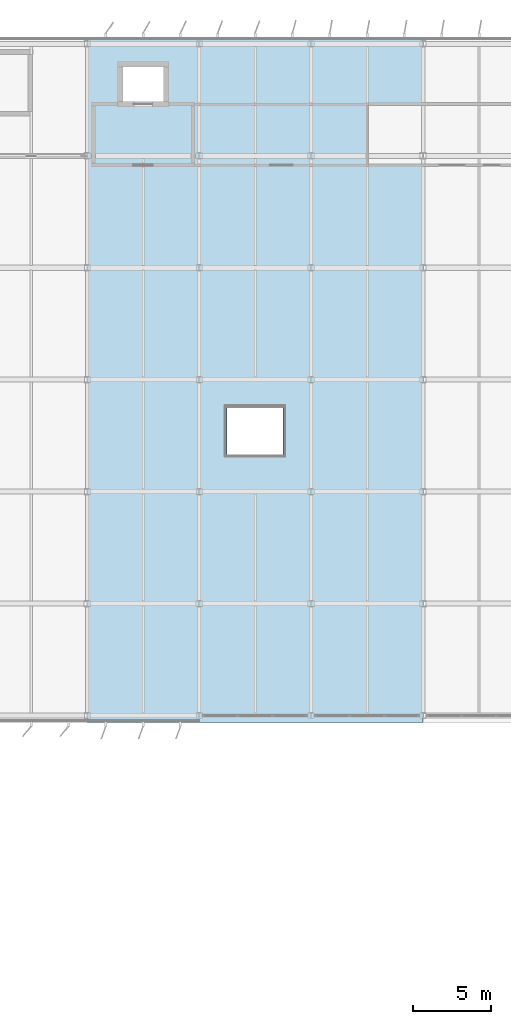
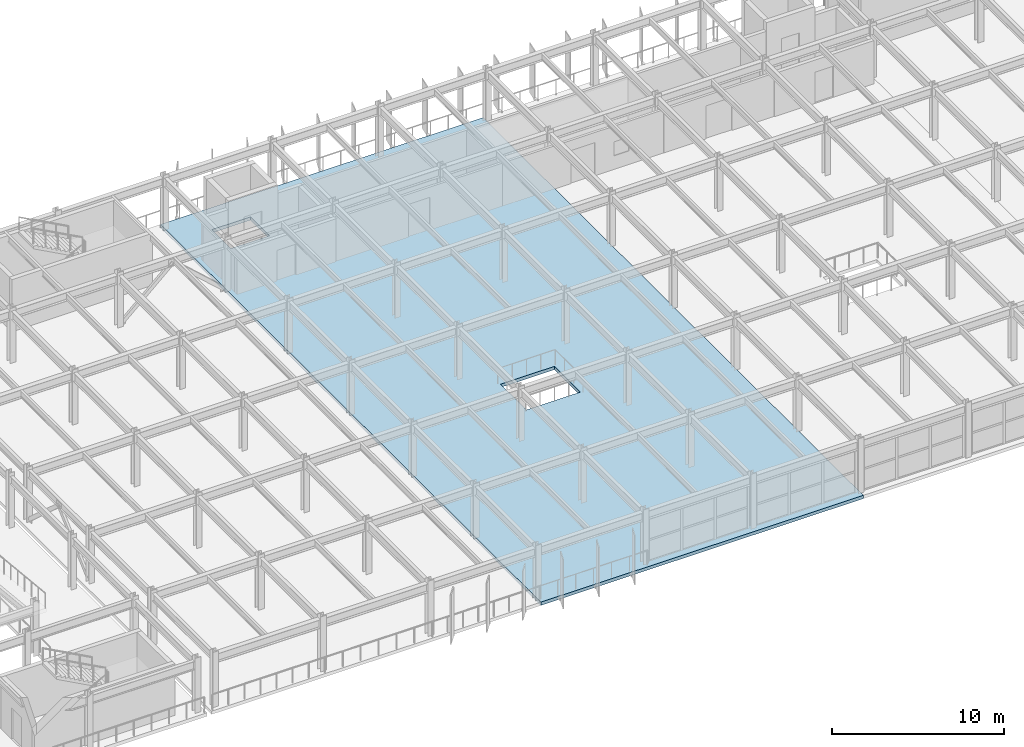
# One storey, part 39 of 80: 1 slab.
"""IFC4 building model written with IfcOpenShell, lengths in metres."""

from ifc_helpers import new_model, si_unit, direction, frame, origin, place, context, subcontext, project, spatial, polyline, outline, extrude, material, layer, layer_set, type_object, element, save


model = new_model("IFC4")

# Units and contexts
model_context = context("Model", 3, precision=1e-05, world=origin(), true_north=direction((0.0, 1.0)))
body_context = subcontext(model_context, "Body", "Model", "MODEL_VIEW")
ifc_project = project(units=[si_unit("LENGTHUNIT", "METRE"), si_unit("AREAUNIT", "SQUARE_METRE"), si_unit("VOLUMEUNIT", "CUBIC_METRE"), si_unit("PLANEANGLEUNIT", "RADIAN"), si_unit("MASSUNIT", "GRAM", prefix="KILO")], contexts=[model_context])

# Site, building, storey
site_placement = place(None, origin())
site = spatial("IfcSite", under=ifc_project, at=site_placement, CompositionType="ELEMENT")
building_placement = place(site_placement, origin())
building = spatial("IfcBuilding", under=site, at=building_placement, Name="Vaelcorin Mobility Hub", CompositionType="ELEMENT")
storey_placement = place(building_placement, frame((0.0, 0.0, 9.300048828125)))
storey = spatial("IfcBuildingStorey", under=building, at=storey_placement, Name="L02", CompositionType="ELEMENT", Elevation=9.300048828125)

# Slab
ifc_material = material(Name="Concrete f'c 35 MPa", Category="concrete")
ifc_layer = layer(ifc_material, 0.22998046875)
ifc_layer_set = layer_set([ifc_layer], Name="Concrete f'c 35 MPa")
slab_type = type_object("IfcSlabType", Name="SLAB-PK3", PredefinedType="FLOOR", material=ifc_layer_set)
slab_placement = place(storey_placement, frame((0.0, 0.0, -0.22998046875)))
element("IfcSlab", 1, at=slab_placement, inside=storey, type_object=slab_type, Name="L02 EV Mobility Deck SL-V4-L02-Q2", PredefinedType="FLOOR", context=body_context, shape_type="SweptSolid", body=[
    extrude(outline(polyline([(57.60009765625, 120.449951171875), (79.199951171875, 120.449951171875), (79.199951171875, 76.35009765625), (57.60009765625, 76.35009765625), (57.60009765625, 120.449951171875)]), holes=[polyline([(70.199951171875, 96.60009765625), (66.60009765625, 96.60009765625), (66.60009765625, 93.60009765625), (70.199951171875, 93.60009765625), (70.199951171875, 96.60009765625)]), polyline([(62.5, 118.5), (59.89990234375, 118.5), (59.89990234375, 116.300048828125), (62.5, 116.300048828125), (62.5, 118.5)])]), origin(), (0.0, 0.0, 1.0), 0.22998046875),
])

save(model, "model.ifc")
